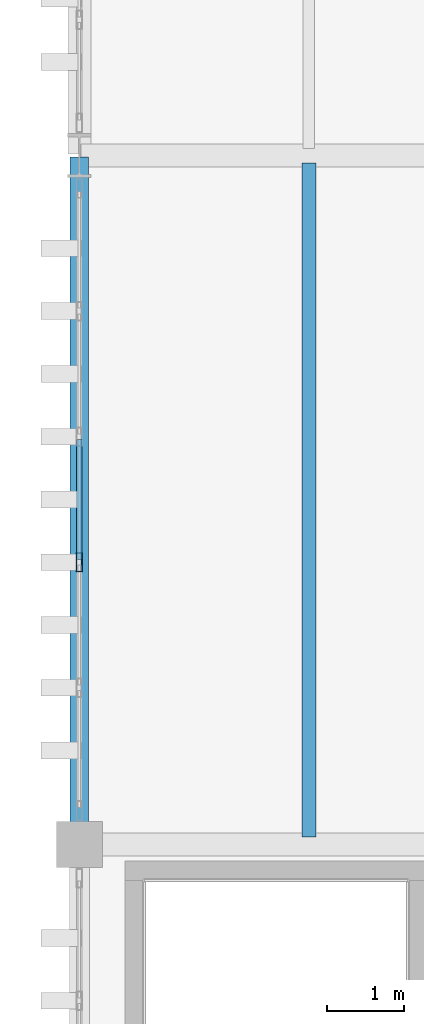
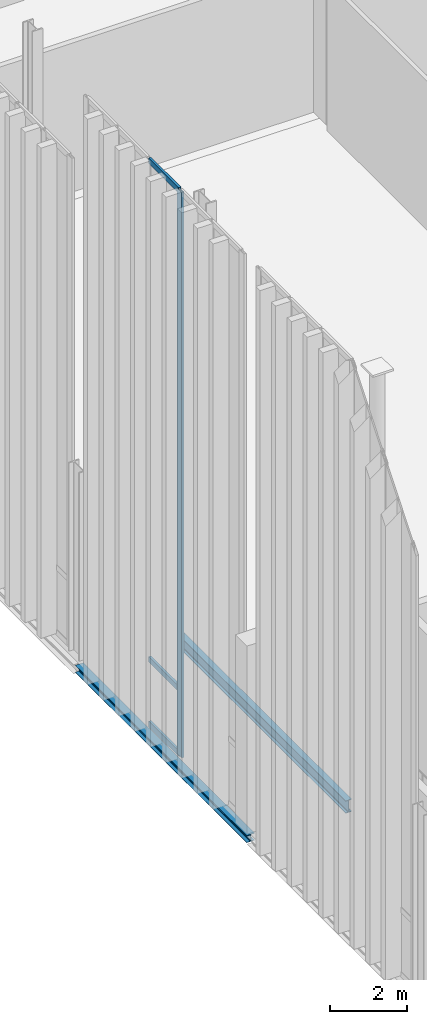
# One storey, part 41 of 237: 4 members, 2 beams, 1 element without a shape of its own.
"""IFC4 building model written with IfcOpenShell, lengths in metres."""

from ifc_helpers import new_model, si_unit, direction, frame, origin, origin_2d, place, context, subcontext, project, spatial, hollow_rectangle, i_section, extrude, material, layer, layer_set, material_profile, profile_set, type_object, element, aggregate, save


model = new_model("IFC4")

# Units and contexts
model_context = context("Model", 3, precision=1e-05, world=origin(), true_north=direction((0.0, 1.0)))
body_context = subcontext(model_context, "Body", "Model", "MODEL_VIEW")
ifc_project = project(units=[si_unit("LENGTHUNIT", "METRE"), si_unit("AREAUNIT", "SQUARE_METRE"), si_unit("VOLUMEUNIT", "CUBIC_METRE"), si_unit("PLANEANGLEUNIT", "RADIAN"), si_unit("MASSUNIT", "GRAM", prefix="KILO")], contexts=[model_context])

# Site, building, storey
site_placement = place(None, origin())
site = spatial("IfcSite", under=ifc_project, at=site_placement, CompositionType="ELEMENT")
building_placement = place(site_placement, origin())
building = spatial("IfcBuilding", under=site, at=building_placement, Name="Barlavento Convention Centre", CompositionType="ELEMENT")
storey_placement = place(building_placement, frame((0.0, 0.0, 12.0)))
storey = spatial("IfcBuildingStorey", under=building, at=storey_placement, Name="L02", CompositionType="ELEMENT", Elevation=12.0)

# Curtain wall, members
ifc_material_1 = material(Name="Powder-coated aluminium and Low-E glass", Category="aluminium")
ifc_layer = layer(ifc_material_1, 0.18994140625)
ifc_layer_set = layer_set([ifc_layer], Name="ARC-CW-CONG-L02")
curtain_wall_type = type_object("IfcCurtainWallType", Name="ARC-CW-CONG-L02", PredefinedType="NOTDEFINED", material=ifc_layer_set)
curtain_wall_placement = place(storey_placement, origin())
curtain_wall = element("IfcCurtainWall", 1, at=curtain_wall_placement, inside=storey, type_object=curtain_wall_type, Name="L02 unitised curtain wall CW02", PredefinedType="NOTDEFINED")
ifc_material_2 = material(Name="Powder-coated aluminium", Category="aluminium")
ifc_material_profile_1 = material_profile(ifc_material_2, hollow_rectangle(XDim=0.074951171875, YDim=0.25, WallThickness=0.006103515625, at=origin_2d()), Name="AL-MULL 75x250x6")
ifc_profile_set_1 = profile_set([ifc_material_profile_1], Name="Powder-coated aluminium")
member_type_1 = type_object("IfcMemberType", Name="ARC-CWM-75X250", PredefinedType="MULLION", material=ifc_profile_set_1)
member_1_placement = place(storey_placement, frame((0.0, 30.6865234375, 0.0), z_axis=(0.0, 0.0, 1.0), x_axis=(-1.0, 0.0, 0.0)))
member_1 = element("IfcMember", 2, at=member_1_placement, type_object=member_type_1, Name="CW02 mullion 3", PredefinedType="MULLION", context=body_context, shape_type="SweptSolid", body=[
    extrude(hollow_rectangle(XDim=0.074951171875, YDim=0.25, WallThickness=0.006103515625, at=origin_2d()), origin(), (0.0, 0.0, 1.0), 18.037109375),
])
ifc_material_profile_2 = material_profile(ifc_material_2, hollow_rectangle(XDim=0.070068359375, YDim=0.179931640625, WallThickness=0.0048828125, at=origin_2d()), Name="AL-TRAN 70x180x5")
ifc_profile_set_2 = profile_set([ifc_material_profile_2], Name="Powder-coated aluminium")
member_type_2 = type_object("IfcMemberType", Name="ARC-CWT-70X180", PredefinedType="USERDEFINED", material=ifc_profile_set_2)
member_2_placement = place(storey_placement, frame((0.0, 30.72412109375, 0.034912109375), z_axis=(0.0, 1.0, 0.0), x_axis=(-1.0, 0.0, 0.0)))
member_2 = element("IfcMember", 3, at=member_2_placement, type_object=member_type_2, Name="CW02 transom 3.1", ObjectType="TRANSOM", PredefinedType="USERDEFINED", context=body_context, shape_type="SweptSolid", body=[
    extrude(hollow_rectangle(XDim=0.070068359375, YDim=0.179931640625, WallThickness=0.0048828125, at=origin_2d()), origin(), (0.0, 0.0, 1.0), 1.565673828125),
])
member_3_placement = place(storey_placement, frame((0.0, 30.72412109375, 2.10009765625), z_axis=(0.0, 1.0, 0.0), x_axis=(-1.0, 0.0, 0.0)))
member_3 = element("IfcMember", 4, at=member_3_placement, type_object=member_type_2, Name="CW02 transom 3.2", ObjectType="TRANSOM", PredefinedType="USERDEFINED", context=body_context, shape_type="SweptSolid", body=[
    extrude(hollow_rectangle(XDim=0.070068359375, YDim=0.179931640625, WallThickness=0.0048828125, at=origin_2d()), origin(), (0.0, 0.0, 1.0), 1.565673828125),
])
member_4_placement = place(storey_placement, frame((0.0, 30.72412109375, 18.001953125), z_axis=(0.0, 1.0, 0.0), x_axis=(-1.0, 0.0, 0.0)))
member_4 = element("IfcMember", 5, at=member_4_placement, type_object=member_type_2, Name="CW02 transom 3.3", ObjectType="TRANSOM", PredefinedType="USERDEFINED", context=body_context, shape_type="SweptSolid", body=[
    extrude(hollow_rectangle(XDim=0.070068359375, YDim=0.179931640625, WallThickness=0.0048828125, at=origin_2d()), origin(), (0.0, 0.0, 1.0), 1.565673828125),
])
aggregate(curtain_wall, [member_1, member_2, member_3, member_4])

# Beams
ifc_material_3 = material(Name="Steel S355", Category="steel")
ifc_material_profile_3 = material_profile(ifc_material_3, i_section(OverallWidth=0.179931640625, OverallDepth=0.39990234375, WebThickness=0.008544921875, FlangeThickness=0.013427734375, FilletRadius=0.02099609375, at=origin_2d()), Name="IPE 400")
ifc_profile_set_3 = profile_set([ifc_material_profile_3], Name="Steel S355")
beam_type_1 = type_object("IfcBeamType", Name="STR-BM-JST-IPE400", PredefinedType="JOIST", material=ifc_profile_set_3)
beam_1_placement = place(storey_placement, frame((3.0, 27.094970703125, -0.5), z_axis=(0.0, 1.0, 0.0), x_axis=(-1.0, 0.0, 0.0)))
element("IfcBeam", 6, at=beam_1_placement, inside=storey, type_object=beam_type_1, Name="L02 composite floor joist SJ04", PredefinedType="JOIST", context=body_context, shape_type="SweptSolid", body=[
    extrude(i_section(OverallWidth=0.179931640625, OverallDepth=0.39990234375, WebThickness=0.008544921875, FlangeThickness=0.013427734375, FilletRadius=0.02099609375, at=origin_2d()), origin(), (0.0, 0.0, 1.0), 8.81005859375),
])
ifc_material_profile_4 = material_profile(ifc_material_3, i_section(OverallWidth=0.239990234375, OverallDepth=0.22998046875, WebThickness=0.007568359375, FlangeThickness=0.011962890625, FilletRadius=0.02099609375, at=origin_2d()), Name="HEA 240")
ifc_profile_set_4 = profile_set([ifc_material_profile_4], Name="Steel S355")
beam_type_2 = type_object("IfcBeamType", Name="STR-BM-SPN-HEA240", PredefinedType="SPANDREL", material=ifc_profile_set_4)
beam_2_placement = place(storey_placement, frame((0.0, 27.02001953125, -0.4150390625), z_axis=(0.0, 1.0, 0.0), x_axis=(-1.0, 0.0, 0.0)))
element("IfcBeam", 7, at=beam_2_placement, inside=storey, type_object=beam_type_2, Name="L02 grid girder SP05", PredefinedType="SPANDREL", context=body_context, shape_type="SweptSolid", body=[
    extrude(i_section(OverallWidth=0.239990234375, OverallDepth=0.22998046875, WebThickness=0.007568359375, FlangeThickness=0.011962890625, FilletRadius=0.02099609375, at=origin_2d()), origin(), (0.0, 0.0, 1.0), 8.9599609375),
])

save(model, "model.ifc")
